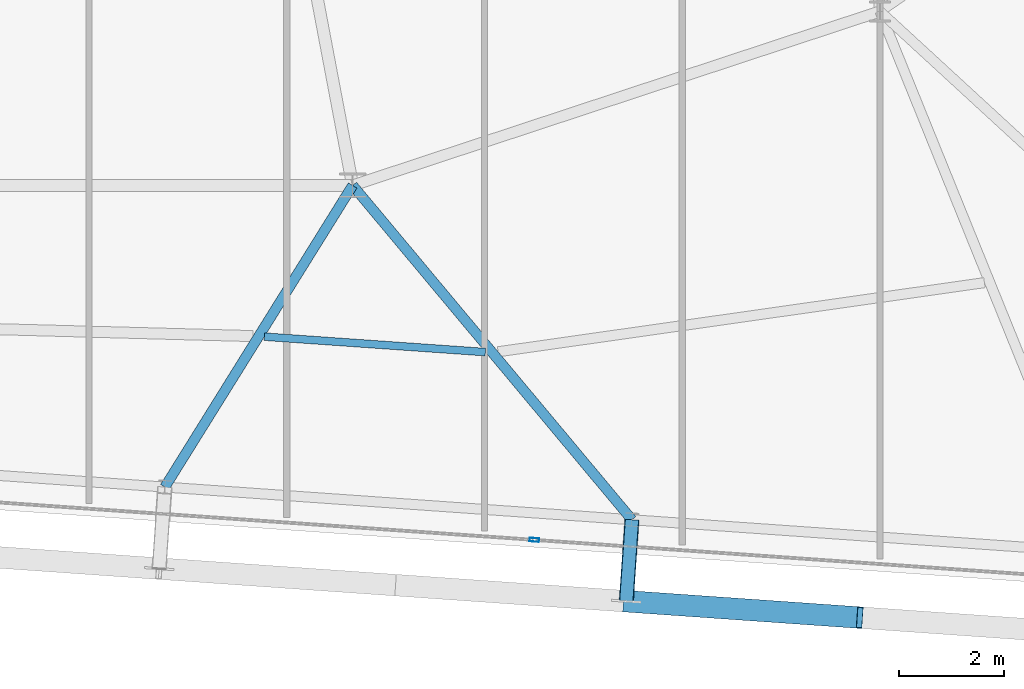
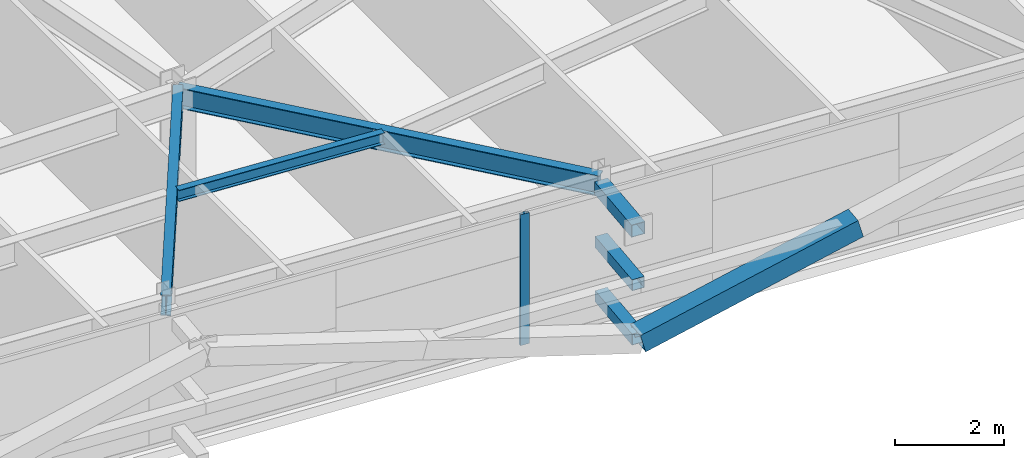
# One storey, part 13 of 39: 5 members, 3 beams, 1 element without a shape of its own.
"""IFC4 building model written with IfcOpenShell, lengths in metres."""

from ifc_helpers import new_model, si_unit, direction, frame, origin, origin_2d, place, context, subcontext, project, spatial, hollow_rectangle, i_section, extrude, source, transform, mapped, material, layer, layer_set, material_profile, profile_set, type_object, element, aggregate, save


model = new_model("IFC4")

# Units and contexts
model_context = context("Model", 3, precision=1e-05, world=origin(), true_north=direction((0.0, 1.0)))
body_context = subcontext(model_context, "Body", "Model", "MODEL_VIEW")
ifc_project = project(units=[si_unit("LENGTHUNIT", "METRE"), si_unit("AREAUNIT", "SQUARE_METRE"), si_unit("VOLUMEUNIT", "CUBIC_METRE"), si_unit("PLANEANGLEUNIT", "RADIAN"), si_unit("MASSUNIT", "GRAM", prefix="KILO")], contexts=[model_context])

# Site, building, storey
site_placement = place(None, origin())
site = spatial("IfcSite", under=ifc_project, at=site_placement, CompositionType="ELEMENT")
building_placement = place(site_placement, origin())
building = spatial("IfcBuilding", under=site, at=building_placement, Name="Taldren Reach Tower", CompositionType="ELEMENT")
storey_placement = place(building_placement, frame((0.0, 0.0, 133.0)))
storey = spatial("IfcBuildingStorey", under=building, at=storey_placement, Name="L40", CompositionType="ELEMENT", Elevation=133.0)

# Members
ifc_material_1 = material(Name="Steel Gr 450 (C450L0)", Category="steel")
ifc_material_profile_1 = material_profile(ifc_material_1, hollow_rectangle(XDim=0.27490234375, YDim=0.27490234375, WallThickness=0.00927734375, at=origin_2d()), Name="275x275x9.3SHS")
ifc_profile_set_1 = profile_set([ifc_material_profile_1], Name="Steel Gr 450 (C450L0)")
member_type_1 = type_object("IfcMemberType", Name="MB-TIE273", PredefinedType="STRUT", material=ifc_profile_set_1)
shared_shape_1 = source(origin(), body_context, "Body", "SweptSolid", [
    extrude(hollow_rectangle(XDim=0.27490234375, YDim=0.27490234375, WallThickness=0.00927734375, at=origin_2d()), origin(), (0.0, 0.0, 1.0), 1.5498046875),
])
member_1_placement = place(storey_placement, frame((47.297119140625, 2.860595703125, 2.64990234375), z_axis=(-0.069780535098, -0.997562367434, 0.0), x_axis=(0.997562367434, -0.069780535098, 0.0)))
element("IfcMember", 1, at=member_1_placement, inside=storey, type_object=member_type_1, Name="Exoskeleton diaphragm tie strut B3-S5 L40", PredefinedType="STRUT", context=body_context, shape_type="MappedRepresentation", body=[
    mapped(shared_shape_1, transform((0.0, 0.0, 0.0), scale=1.0)),
])
ifc_material_2 = material(Name="Steel Gr 350 (C350L0)", Category="steel")
ifc_material_profile_2 = material_profile(ifc_material_2, hollow_rectangle(XDim=0.25, YDim=0.25, WallThickness=0.010009765625, at=origin_2d()), Name="250x250x10.0SHS")
ifc_profile_set_2 = profile_set([ifc_material_profile_2], Name="Steel Gr 350 (C350L0)")
member_type_2 = type_object("IfcMemberType", Name="MB-POST250", PredefinedType="POST", material=ifc_profile_set_2)
shared_shape_2 = source(origin(), body_context, "Body", "SweptSolid", [
    extrude(hollow_rectangle(XDim=0.25, YDim=0.25, WallThickness=0.010009765625, at=origin_2d()), origin(), (0.0, 0.0, 1.0), 1.5498046875),
])
for number, where, z_axis, x_axis, name in (
    (2, (47.297119140625, 2.860595703125, 0.219970703125), (-0.069780535098, -0.997562367434, 0.0), (0.997562367434, -0.069780535098, 0.0), "Exoskeleton base diaphragm tie strut B3-S5 L40"),
    (3, (47.297119140625, 2.860595703125, 1.43505859375), (-0.069780535098, -0.997562367434, 0.0), (0.997562367434, -0.069780535098, 0.0), "Exoskeleton mid-tier diaphragm tie B3-S5 L40"),
):
    element("IfcMember", number, at=place(storey_placement, frame(where, z_axis=z_axis, x_axis=x_axis)), inside=storey, type_object=member_type_2, Name=name, PredefinedType="POST", context=body_context, shape_type="MappedRepresentation", body=[
        mapped(shared_shape_2, transform((0.0, 0.0, 0.0), scale=1.0)),
    ])

# Beams
ifc_material_3 = material(Name="Steel Gr 350 (350PLUS)", Category="steel")
ifc_material_profile_3 = material_profile(ifc_material_3, i_section(OverallWidth=0.19091796875, OverallDepth=0.4599609375, WebThickness=0.010009765625, FlangeThickness=0.01611328125, at=origin_2d()), Name="460UB82.1")
ifc_profile_set_3 = profile_set([ifc_material_profile_3], Name="Steel Gr 350 (350PLUS)")
beam_type_1 = type_object("IfcBeamType", Name="BM-UB460A", PredefinedType="BEAM", material=ifc_profile_set_3)
shared_shape_3 = source(origin(), body_context, "Body", "SweptSolid", [
    extrude(i_section(OverallWidth=0.19091796875, OverallDepth=0.4599609375, WebThickness=0.010009765625, FlangeThickness=0.01611328125, at=origin_2d()), origin(), (0.0, 0.0, 1.0), 6.73779296875),
])
beam_1_placement = place(storey_placement, frame((42.0, 9.199951171875, 2.699951171875), z_axis=(-0.528552048024, -0.848900896765, 0.0), x_axis=(0.848900896765, -0.528552048024, 0.0)))
element("IfcBeam", 4, at=beam_1_placement, inside=storey, type_object=beam_type_1, Name="Primary floor girder B3-S4 L40", PredefinedType="BEAM", context=body_context, shape_type="MappedRepresentation", body=[
    mapped(shared_shape_3, transform((0.0, 0.0, 0.0), scale=1.0)),
])
shared_shape_4 = source(origin(), body_context, "Body", "SweptSolid", [
    extrude(i_section(OverallWidth=0.19091796875, OverallDepth=0.4599609375, WebThickness=0.010009765625, FlangeThickness=0.01611328125, at=origin_2d()), origin(), (0.0, 0.0, 1.0), 8.26123046875),
])
beam_2_placement = place(storey_placement, frame((42.0, 9.199951171875, 2.699951171875), z_axis=(0.64120703686, -0.767367927322, 0.0), x_axis=(0.767367927322, 0.64120703686, 0.0)))
element("IfcBeam", 5, at=beam_2_placement, inside=storey, type_object=beam_type_1, Name="Primary floor girder B3-S5 L40", PredefinedType="BEAM", context=body_context, shape_type="MappedRepresentation", body=[
    mapped(shared_shape_4, transform((0.0, 0.0, 0.0), scale=1.0)),
])
ifc_material_4 = material(Name="Steel Gr 300 (300PLUS, 300 MPa)", Category="steel")
ifc_material_profile_4 = material_profile(ifc_material_4, i_section(OverallWidth=0.14599609375, OverallDepth=0.256103515625, WebThickness=0.00634765625, FlangeThickness=0.010986328125, at=origin_2d()), Name="250UB37.3")
ifc_profile_set_4 = profile_set([ifc_material_profile_4], Name="Steel Gr 300 (300PLUS, 300 MPa)")
beam_type_2 = type_object("IfcBeamType", Name="JS-UB250", PredefinedType="JOIST", material=ifc_profile_set_4)
shared_shape_5 = source(origin(), body_context, "Body", "SweptSolid", [
    extrude(i_section(OverallWidth=0.14599609375, OverallDepth=0.256103515625, WebThickness=0.00634765625, FlangeThickness=0.010986328125, at=origin_2d()), origin(), (0.0, 0.0, 1.0), 4.199462890625),
])
beam_3_placement = place(storey_placement, frame((40.3271484375, 6.33251953125, 2.802001953125), z_axis=(0.99756354117, -0.069763753681, 0.0), x_axis=(0.069763753681, 0.99756354117, 0.0)))
element("IfcBeam", 6, at=beam_3_placement, inside=storey, type_object=beam_type_2, Name="Secondary floor joist B3 J4 L40", PredefinedType="JOIST", context=body_context, shape_type="MappedRepresentation", body=[
    mapped(shared_shape_5, transform((0.0, 0.0, 0.0), scale=1.0)),
])

# Member
ifc_material_profile_5 = material_profile(ifc_material_1, hollow_rectangle(XDim=0.409912109375, YDim=0.409912109375, WallThickness=0.01611328125, at=origin_2d()), Name="410x410x16.0SHS")
ifc_profile_set_5 = profile_set([ifc_material_profile_5], Name="Steel Gr 450 (C450L0)")
member_type_3 = type_object("IfcMemberType", Name="MB-EXO406", PredefinedType="BRACE", material=ifc_profile_set_5)
shared_shape_6 = source(origin(), body_context, "Body", "SweptSolid", [
    extrude(hollow_rectangle(XDim=0.409912109375, YDim=0.409912109375, WallThickness=0.01611328125, at=origin_2d()), origin(), (0.0, 0.0, 1.0), 4.603271484375),
])
member_2_placement = place(storey_placement, frame((47.18896484375, 1.314453125, 0.219970703125), z_axis=(0.962182351074, -0.067302910567, 0.263961060594), x_axis=(0.06977769246, 0.997562566276, 0.0)))
element("IfcMember", 7, at=member_2_placement, inside=storey, type_object=member_type_3, Name="Exoskeleton Diagrid Brace B3-S5 L40", PredefinedType="BRACE", context=body_context, shape_type="MappedRepresentation", body=[
    mapped(shared_shape_6, transform((0.0, 0.0, 0.0), scale=1.0)),
])

# Curtain wall, member
ifc_material_5 = material(Name="Aluminium and Low-E Glass Unitised System", Category="aluminium")
ifc_layer = layer(ifc_material_5, 0.159912109375)
ifc_layer_set = layer_set([ifc_layer], Name="Aluminium and Low-E Glass Unitised System")
curtain_wall_type = type_object("IfcCurtainWallType", Name="CW-SYS-4", PredefinedType="NOTDEFINED", material=ifc_layer_set)
curtain_wall_placement = place(storey_placement, origin())
curtain_wall = element("IfcCurtainWall", 8, at=curtain_wall_placement, inside=storey, type_object=curtain_wall_type, Name="Unitised curtain wall CW-L40-S", PredefinedType="NOTDEFINED")
ifc_material_6 = material(Name="Anodised Aluminium 6063-T6", Category="aluminium")
ifc_material_profile_6 = material_profile(ifc_material_6, hollow_rectangle(XDim=0.070068359375, YDim=0.179931640625, WallThickness=0.00390625, at=origin_2d()), Name="ALU-180x70x4RHS")
ifc_profile_set_6 = profile_set([ifc_material_profile_6], Name="Anodised Aluminium 6063-T6")
member_type_4 = type_object("IfcMemberType", Name="CW-MUL-180", PredefinedType="MULLION", material=ifc_profile_set_6)
shared_shape_7 = source(origin(), body_context, "Body", "SweptSolid", [
    extrude(hollow_rectangle(XDim=0.070068359375, YDim=0.179931640625, WallThickness=0.00390625, at=origin_2d()), origin(), (0.0, 0.0, 1.0), 2.929931640625),
])
member_3_placement = place(storey_placement, frame((45.44580078125, 2.478759765625, 0.0), z_axis=(0.0, 0.0, 1.0), x_axis=(0.06975651593, 0.99756404731, 0.0)))
member_3 = element("IfcMember", 9, at=member_3_placement, type_object=member_type_4, Name="CW-4 mullion 4", PredefinedType="MULLION", context=body_context, shape_type="MappedRepresentation", body=[
    mapped(shared_shape_7, transform((0.0, 0.0, 0.0), scale=1.0)),
])
aggregate(curtain_wall, [member_3])

save(model, "model.ifc")
